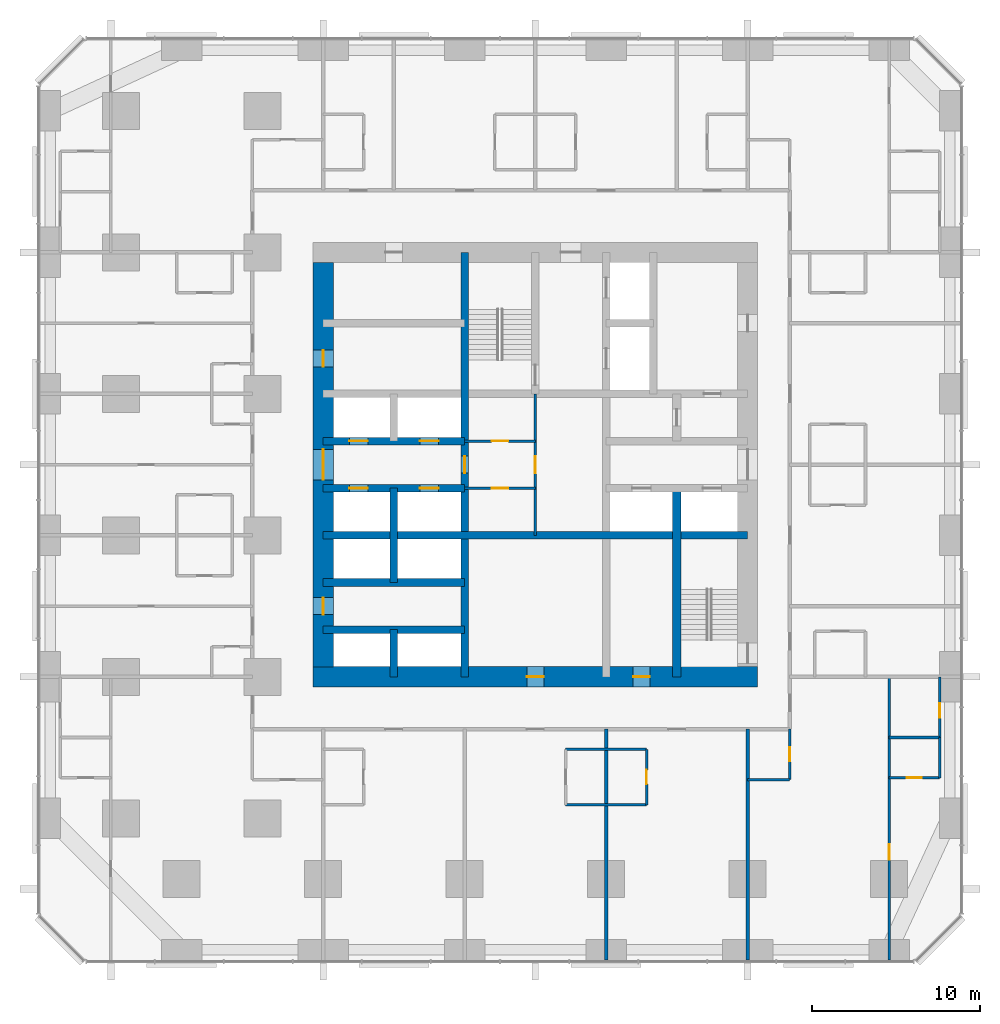
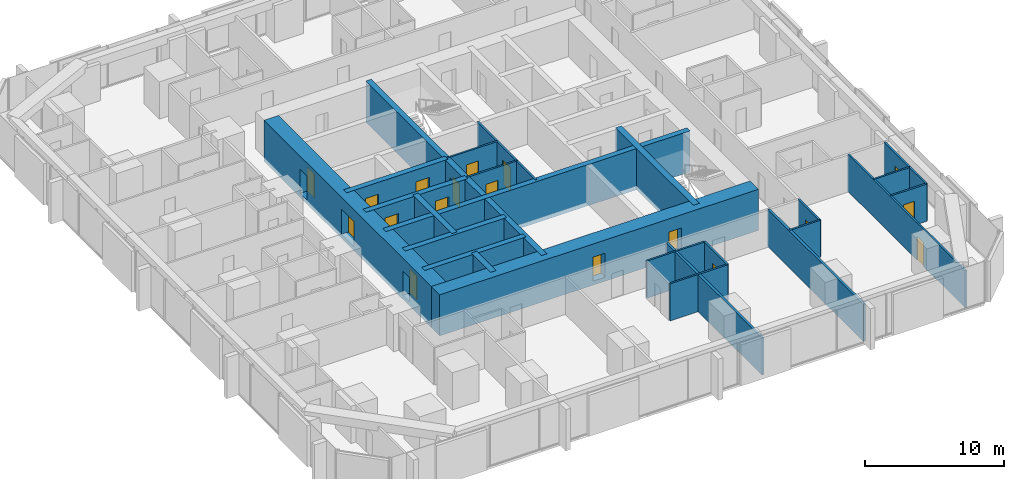
# One storey, part 9 of 13: 26 walls, 18 doors, 18 openings.
"""IFC4 building model written with IfcOpenShell, lengths in metres."""

from ifc_helpers import new_model, si_unit, direction, frame, frame_2d, origin, place, context, subcontext, project, spatial, rectangle, extrude, material, layer, layer_set, type_object, element, fill, save


model = new_model("IFC4")

# Units and contexts
model_context = context("Model", 3, precision=1e-05, world=origin(), true_north=direction((0.0, 1.0)))
body_context = subcontext(model_context, "Body", "Model", "MODEL_VIEW")
ifc_project = project(units=[si_unit("LENGTHUNIT", "METRE"), si_unit("AREAUNIT", "SQUARE_METRE"), si_unit("VOLUMEUNIT", "CUBIC_METRE"), si_unit("PLANEANGLEUNIT", "RADIAN"), si_unit("MASSUNIT", "GRAM", prefix="KILO")], contexts=[model_context])

# Site, building, storey
site_placement = place(None, origin())
site = spatial("IfcSite", under=ifc_project, at=site_placement, CompositionType="ELEMENT")
building_placement = place(site_placement, origin())
building = spatial("IfcBuilding", under=site, at=building_placement, Name="Dunama Terrace Hotel", CompositionType="ELEMENT")
storey_placement = place(building_placement, frame((0.0, 0.0, 97.199951171875)))
storey = spatial("IfcBuildingStorey", under=building, at=storey_placement, Name="L24", CompositionType="ELEMENT", Elevation=97.199951171875)

# Wall, opening, door
ifc_material_1 = material(Name="Gypsum board partition", Category="masonry")
ifc_layer_1 = layer(ifc_material_1, 0.14990234375)
ifc_layer_set_1 = layer_set([ifc_layer_1], Name="Bathroom partition 150")
wall_type_1 = type_object("IfcWallType", Name="Bathroom partition 150", PredefinedType="PARTITIONING", material=ifc_layer_set_1)
wall_1_placement = place(storey_placement, frame((36.0, 9.199951171875, 0.0), z_axis=(0.0, 0.0, 1.0), x_axis=(0.0, 1.0, 0.0)))
wall_1 = element("IfcWall", 1, at=wall_1_placement, inside=storey, type_object=wall_type_1, Name="Bathroom partition 150 L24", PredefinedType="PARTITIONING", context=body_context, shape_type="SweptSolid", body=[
    extrude(rectangle(XDim=3.300048828125, YDim=0.14990234375, at=frame_2d((1.64990234375, 0.0))), origin(), (0.0, 0.0, 1.0), 3.25),
])
opening_1_placement = place(wall_1_placement, frame((1.22509765625, 0.0, 0.0)))
opening_1 = element("IfcOpeningElement", 2, at=opening_1_placement, cuts=wall_1, Name="Opening L24-016", PredefinedType="OPENING", context=body_context, shape_type="SweptSolid", body=[
    extrude(rectangle(XDim=0.85009765625, YDim=2.10009765625, at=frame_2d((0.425048828125, 1.050048828125))), frame((0.0, 0.0849609375, 0.0), z_axis=(0.0, -1.0, 0.0), x_axis=(1.0, 0.0, 0.0)), (0.0, 0.0, 1.0), 0.169921875),
])
ifc_material_2 = material(Name="Timber door with steel frame", Category="steel")
door_type_1 = type_object("IfcDoorType", Name="Bathroom door 850", OperationType="SINGLE_SWING_LEFT", PredefinedType="DOOR", material=ifc_material_2)
door_1_placement = place(opening_1_placement, origin())
door_1 = element("IfcDoor", 3, at=door_1_placement, inside=storey, type_object=door_type_1, Name="Door to en-suite bathroom L24-016, type D2", OperationType="SINGLE_SWING_LEFT", OverallHeight=2.10009765625, OverallWidth=0.85009765625, PredefinedType="DOOR", context=body_context, shape_type="SweptSolid", body=[
    extrude(rectangle(XDim=0.85009765625, YDim=2.10009765625, at=frame_2d((0.425048828125, 1.050048828125))), frame((0.0, 0.02490234375, 0.0), z_axis=(0.0, -1.0, 0.0), x_axis=(1.0, 0.0, 0.0)), (0.0, 0.0, 1.0), 0.050048828125),
])
fill(opening_1, door_1)

wall_2_placement = place(storey_placement, frame((44.5, 10.699951171875, 0.0), z_axis=(0.0, 0.0, 1.0), x_axis=(0.0, 1.0, 0.0)))
wall_2 = element("IfcWall", 4, at=wall_2_placement, inside=storey, type_object=wall_type_1, Name="Bathroom partition 150 L24", PredefinedType="PARTITIONING", context=body_context, shape_type="SweptSolid", body=[
    extrude(rectangle(XDim=3.0, YDim=0.14990234375, at=frame_2d((1.5, 0.0))), origin(), (0.0, 0.0, 1.0), 3.25),
])
opening_2_placement = place(wall_2_placement, frame((1.074951171875, 0.0, 0.0)))
opening_2 = element("IfcOpeningElement", 5, at=opening_2_placement, cuts=wall_2, Name="Opening L24-051", PredefinedType="OPENING", context=body_context, shape_type="SweptSolid", body=[
    extrude(rectangle(XDim=0.85009765625, YDim=2.10009765625, at=frame_2d((0.425048828125, 1.050048828125))), frame((0.0, 0.0849609375, 0.0), z_axis=(0.0, -1.0, 0.0), x_axis=(1.0, 0.0, 0.0)), (0.0, 0.0, 1.0), 0.169921875),
])
door_2_placement = place(opening_2_placement, origin())
door_2 = element("IfcDoor", 6, at=door_2_placement, inside=storey, type_object=door_type_1, Name="Door to powder room L24-051, type D2", OperationType="SINGLE_SWING_RIGHT", OverallHeight=2.10009765625, OverallWidth=0.85009765625, PredefinedType="DOOR", context=body_context, shape_type="SweptSolid", body=[
    extrude(rectangle(XDim=0.85009765625, YDim=2.10009765625, at=frame_2d((0.425048828125, 1.050048828125))), frame((0.0, 0.02490234375, 0.0), z_axis=(0.0, -1.0, 0.0), x_axis=(1.0, 0.0, 0.0)), (0.0, 0.0, 1.0), 0.050048828125),
])
fill(opening_2, door_2)

wall_3_placement = place(storey_placement, frame((53.39990234375, 13.199951171875, 0.0), z_axis=(0.0, 0.0, 1.0), x_axis=(0.0, 1.0, 0.0)))
wall_3 = element("IfcWall", 7, at=wall_3_placement, inside=storey, type_object=wall_type_1, Name="Bathroom partition 150 L24", PredefinedType="PARTITIONING", context=body_context, shape_type="SweptSolid", body=[
    extrude(rectangle(XDim=3.60009765625, YDim=0.14990234375, at=frame_2d((1.800048828125, 0.0))), origin(), (0.0, 0.0, 1.0), 3.25),
])
opening_3_placement = place(wall_3_placement, frame((1.175048828125, 0.0, 0.0)))
opening_3 = element("IfcOpeningElement", 8, at=opening_3_placement, cuts=wall_3, Name="Opening L24-053", PredefinedType="OPENING", context=body_context, shape_type="SweptSolid", body=[
    extrude(rectangle(XDim=0.85009765625, YDim=2.10009765625, at=frame_2d((0.425048828125, 1.050048828125))), frame((0.0, 0.0849609375, 0.0), z_axis=(0.0, -1.0, 0.0), x_axis=(1.0, 0.0, 0.0)), (0.0, 0.0, 1.0), 0.169921875),
])
door_3_placement = place(opening_3_placement, origin())
door_3 = element("IfcDoor", 9, at=door_3_placement, inside=storey, type_object=door_type_1, Name="Door to en-suite bathroom L24-053, type D2", OperationType="SINGLE_SWING_RIGHT", OverallHeight=2.10009765625, OverallWidth=0.85009765625, PredefinedType="DOOR", context=body_context, shape_type="SweptSolid", body=[
    extrude(rectangle(XDim=0.85009765625, YDim=2.10009765625, at=frame_2d((0.425048828125, 1.050048828125))), frame((0.0, 0.02490234375, 0.0), z_axis=(0.0, -1.0, 0.0), x_axis=(1.0, 0.0, 0.0)), (0.0, 0.0, 1.0), 0.050048828125),
])
fill(opening_3, door_3)

# Walls
wall_4_placement = place(storey_placement, frame((31.199951171875, 9.199951171875, 0.0), z_axis=(0.0, 0.0, 1.0), x_axis=(1.0, 0.0, 0.0)))
element("IfcWall", 10, at=wall_4_placement, inside=storey, type_object=wall_type_1, Name="Bathroom partition 150 L24", PredefinedType="PARTITIONING", context=body_context, shape_type="SweptSolid", body=[
    extrude(rectangle(XDim=4.800048828125, YDim=0.14990234375, at=frame_2d((2.39990234375, 0.0))), origin(), (0.0, 0.0, 1.0), 3.25),
])
wall_5_placement = place(storey_placement, frame((42.0, 10.699951171875, 0.0), z_axis=(0.0, 0.0, 1.0), x_axis=(1.0, 0.0, 0.0)))
element("IfcWall", 11, at=wall_5_placement, inside=storey, type_object=wall_type_1, Name="Bathroom partition 150 L24", PredefinedType="PARTITIONING", context=body_context, shape_type="SweptSolid", body=[
    extrude(rectangle(XDim=2.5, YDim=0.14990234375, at=frame_2d((1.25, 0.0))), origin(), (0.0, 0.0, 1.0), 3.25),
])
wall_6_placement = place(storey_placement, frame((31.199951171875, 12.5, 0.0), z_axis=(0.0, 0.0, 1.0), x_axis=(1.0, 0.0, 0.0)))
element("IfcWall", 12, at=wall_6_placement, inside=storey, type_object=wall_type_1, Name="Bathroom partition 150 L24", PredefinedType="PARTITIONING", context=body_context, shape_type="SweptSolid", body=[
    extrude(rectangle(XDim=4.800048828125, YDim=0.14990234375, at=frame_2d((2.39990234375, 0.0))), origin(), (0.0, 0.0, 1.0), 3.25),
])
ifc_material_3 = material(Name="Concrete C50/60", Category="concrete")
ifc_layer_2 = layer(ifc_material_3, 0.449951171875)
ifc_layer_set_2 = layer_set([ifc_layer_2], Name="Core inner wall 450")
wall_type_2 = type_object("IfcWallType", Name="Core inner wall 450", PredefinedType="SHEAR", material=ifc_layer_set_2)
wall_7_placement = place(storey_placement, frame((21.0, 16.800048828125, -0.349853515625), z_axis=(0.0, 0.0, 1.0), x_axis=(0.0, 1.0, 0.0)))
element("IfcWall", 13, at=wall_7_placement, inside=storey, type_object=wall_type_2, Name="Core inner wall 450 L24", PredefinedType="SHEAR", context=body_context, shape_type="SweptSolid", body=[
    extrude(rectangle(XDim=2.800048828125, YDim=0.449951171875, at=frame_2d((1.39990234375, 0.0))), origin(), (0.0, 0.0, 1.0), 3.599853515625),
])
wall_8_placement = place(storey_placement, frame((21.0, 22.39990234375, -0.349853515625), z_axis=(0.0, 0.0, 1.0), x_axis=(0.0, 1.0, 0.0)))
element("IfcWall", 14, at=wall_8_placement, inside=storey, type_object=wall_type_2, Name="Core inner wall 450 L24", PredefinedType="SHEAR", context=body_context, shape_type="SweptSolid", body=[
    extrude(rectangle(XDim=5.60009765625, YDim=0.449951171875, at=frame_2d((2.800048828125, 0.0))), origin(), (0.0, 0.0, 1.0), 3.599853515625),
])

# Wall, opening, door
wall_9_placement = place(storey_placement, frame((25.199951171875, 16.800048828125, -0.349853515625), z_axis=(0.0, 0.0, 1.0), x_axis=(0.0, 1.0, 0.0)))
wall_9 = element("IfcWall", 15, at=wall_9_placement, inside=storey, type_object=wall_type_2, Name="Core inner wall 450 L24", PredefinedType="SHEAR", context=body_context, shape_type="SweptSolid", body=[
    extrude(rectangle(XDim=25.199951171875, YDim=0.449951171875, at=frame_2d((12.60009765625, 0.0))), origin(), (0.0, 0.0, 1.0), 3.599853515625),
])
opening_4_placement = place(wall_9_placement, frame((12.10009765625, 0.0, 0.35009765625)))
opening_4 = element("IfcOpeningElement", 16, at=opening_4_placement, cuts=wall_9, Name="Opening L24-069", PredefinedType="OPENING", context=body_context, shape_type="SweptSolid", body=[
    extrude(rectangle(XDim=1.0, YDim=2.10009765625, at=frame_2d((0.5, 1.050048828125))), frame((0.0, 0.23486328125, 0.0), z_axis=(0.0, -1.0, 0.0), x_axis=(1.0, 0.0, 0.0)), (0.0, 0.0, 1.0), 0.469970703125),
])
ifc_material_4 = material(Name="Timber door with steel frame", Category="steel")
door_type_2 = type_object("IfcDoorType", Name="Service door 1000", OperationType="SINGLE_SWING_LEFT", PredefinedType="DOOR", material=ifc_material_4)
door_4_placement = place(opening_4_placement, origin())
door_4 = element("IfcDoor", 17, at=door_4_placement, inside=storey, type_object=door_type_2, Name="Door to guest services passage L24-069, type D7", OperationType="SINGLE_SWING_LEFT", OverallHeight=2.10009765625, OverallWidth=1.0, PredefinedType="DOOR", context=body_context, shape_type="SweptSolid", body=[
    extrude(rectangle(XDim=1.0, YDim=2.10009765625, at=frame_2d((0.5, 1.050048828125))), frame((0.0, 0.02490234375, 0.0), z_axis=(0.0, -1.0, 0.0), x_axis=(1.0, 0.0, 0.0)), (0.0, 0.0, 1.0), 0.050048828125),
])
fill(opening_4, door_4)

# Walls
for number, where, z_axis, x_axis, name in (
    (18, (16.800048828125, 19.60009765625, -0.349853515625), (0.0, 0.0, 1.0), (1.0, 0.0, 0.0), "Core inner wall 450 L24"),
    (19, (16.800048828125, 22.39990234375, -0.349853515625), (0.0, 0.0, 1.0), (1.0, 0.0, 0.0), "Core inner wall 450 L24"),
):
    element("IfcWall", number, at=place(storey_placement, frame(where, z_axis=z_axis, x_axis=x_axis)), inside=storey, type_object=wall_type_2, Name=name, PredefinedType="SHEAR", context=body_context, shape_type="SweptSolid", body=[
        extrude(rectangle(XDim=8.39990234375, YDim=0.449951171875, at=frame_2d((4.199951171875, 0.0))), origin(), (0.0, 0.0, 1.0), 3.599853515625),
    ])
wall_10_placement = place(storey_placement, frame((16.800048828125, 25.199951171875, -0.349853515625), z_axis=(0.0, 0.0, 1.0), x_axis=(1.0, 0.0, 0.0)))
element("IfcWall", 20, at=wall_10_placement, inside=storey, type_object=wall_type_2, Name="Core inner wall 450 L24", PredefinedType="SHEAR", context=body_context, shape_type="SweptSolid", body=[
    extrude(rectangle(XDim=25.199951171875, YDim=0.449951171875, at=frame_2d((12.60009765625, 0.0))), origin(), (0.0, 0.0, 1.0), 3.599853515625),
])

# Wall, openings, doors
wall_11_placement = place(storey_placement, frame((16.800048828125, 28.0, -0.349853515625), z_axis=(0.0, 0.0, 1.0), x_axis=(1.0, 0.0, 0.0)))
wall_11 = element("IfcWall", 21, at=wall_11_placement, inside=storey, type_object=wall_type_2, Name="Core inner wall 450 L24", PredefinedType="SHEAR", context=body_context, shape_type="SweptSolid", body=[
    extrude(rectangle(XDim=8.39990234375, YDim=0.449951171875, at=frame_2d((4.199951171875, 0.0))), origin(), (0.0, 0.0, 1.0), 3.599853515625),
])
opening_5_placement = place(wall_11_placement, frame((1.550048828125, 0.0, 0.35009765625)))
opening_5 = element("IfcOpeningElement", 22, at=opening_5_placement, cuts=wall_11, Name="Opening L24-005", PredefinedType="OPENING", context=body_context, shape_type="SweptSolid", body=[
    extrude(rectangle(XDim=1.10009765625, YDim=2.199951171875, at=frame_2d((0.550048828125, 1.10009765625))), frame((0.0, 0.23486328125, 0.0), z_axis=(0.0, -1.0, 0.0), x_axis=(1.0, 0.0, 0.0)), (0.0, 0.0, 1.0), 0.469970703125),
])
opening_6_placement = place(wall_11_placement, frame((5.75, 0.0, 0.35009765625)))
opening_6 = element("IfcOpeningElement", 23, at=opening_6_placement, cuts=wall_11, Name="Opening L24-006", PredefinedType="OPENING", context=body_context, shape_type="SweptSolid", body=[
    extrude(rectangle(XDim=1.10009765625, YDim=2.199951171875, at=frame_2d((0.550048828125, 1.10009765625))), frame((0.0, 0.23486328125, 0.0), z_axis=(0.0, -1.0, 0.0), x_axis=(1.0, 0.0, 0.0)), (0.0, 0.0, 1.0), 0.469970703125),
])
ifc_material_5 = material(Name="Stainless steel lift door", Category="steel")
door_type_3 = type_object("IfcDoorType", Name="Lift landing door 1100", OperationType="DOUBLE_DOOR_SLIDING", PredefinedType="DOOR", material=ifc_material_5)
door_5_placement = place(opening_5_placement, origin())
door_5 = element("IfcDoor", 24, at=door_5_placement, inside=storey, type_object=door_type_3, Name="Landing door PC1 L24-005, type LD1", OperationType="DOUBLE_DOOR_SLIDING", OverallHeight=2.199951171875, OverallWidth=1.10009765625, PredefinedType="DOOR", context=body_context, shape_type="SweptSolid", body=[
    extrude(rectangle(XDim=1.10009765625, YDim=2.199951171875, at=frame_2d((0.550048828125, 1.10009765625))), frame((0.0, 0.02490234375, 0.0), z_axis=(0.0, -1.0, 0.0), x_axis=(1.0, 0.0, 0.0)), (0.0, 0.0, 1.0), 0.050048828125),
])
fill(opening_5, door_5)
door_6_placement = place(opening_6_placement, origin())
door_6 = element("IfcDoor", 25, at=door_6_placement, inside=storey, type_object=door_type_3, Name="Landing door PC2 L24-006, type LD1", OperationType="DOUBLE_DOOR_SLIDING", OverallHeight=2.199951171875, OverallWidth=1.10009765625, PredefinedType="DOOR", context=body_context, shape_type="SweptSolid", body=[
    extrude(rectangle(XDim=1.10009765625, YDim=2.199951171875, at=frame_2d((0.550048828125, 1.10009765625))), frame((0.0, 0.02490234375, 0.0), z_axis=(0.0, -1.0, 0.0), x_axis=(1.0, 0.0, 0.0)), (0.0, 0.0, 1.0), 0.050048828125),
])
fill(opening_6, door_6)

wall_12_placement = place(storey_placement, frame((16.800048828125, 30.800048828125, -0.349853515625), z_axis=(0.0, 0.0, 1.0), x_axis=(1.0, 0.0, 0.0)))
wall_12 = element("IfcWall", 26, at=wall_12_placement, inside=storey, type_object=wall_type_2, Name="Core inner wall 450 L24", PredefinedType="SHEAR", context=body_context, shape_type="SweptSolid", body=[
    extrude(rectangle(XDim=8.39990234375, YDim=0.449951171875, at=frame_2d((4.199951171875, 0.0))), origin(), (0.0, 0.0, 1.0), 3.599853515625),
])
opening_7_placement = place(wall_12_placement, frame((1.550048828125, 0.0, 0.35009765625)))
opening_7 = element("IfcOpeningElement", 27, at=opening_7_placement, cuts=wall_12, Name="Opening L24-007", PredefinedType="OPENING", context=body_context, shape_type="SweptSolid", body=[
    extrude(rectangle(XDim=1.10009765625, YDim=2.199951171875, at=frame_2d((0.550048828125, 1.10009765625))), frame((0.0, 0.23486328125, 0.0), z_axis=(0.0, -1.0, 0.0), x_axis=(1.0, 0.0, 0.0)), (0.0, 0.0, 1.0), 0.469970703125),
])
opening_8_placement = place(wall_12_placement, frame((5.75, 0.0, 0.35009765625)))
opening_8 = element("IfcOpeningElement", 28, at=opening_8_placement, cuts=wall_12, Name="Opening L24-008", PredefinedType="OPENING", context=body_context, shape_type="SweptSolid", body=[
    extrude(rectangle(XDim=1.10009765625, YDim=2.199951171875, at=frame_2d((0.550048828125, 1.10009765625))), frame((0.0, 0.23486328125, 0.0), z_axis=(0.0, -1.0, 0.0), x_axis=(1.0, 0.0, 0.0)), (0.0, 0.0, 1.0), 0.469970703125),
])
door_7_placement = place(opening_7_placement, origin())
door_7 = element("IfcDoor", 29, at=door_7_placement, inside=storey, type_object=door_type_3, Name="Landing door PC3 L24-007, type LD1", OperationType="DOUBLE_DOOR_SLIDING", OverallHeight=2.199951171875, OverallWidth=1.10009765625, PredefinedType="DOOR", context=body_context, shape_type="SweptSolid", body=[
    extrude(rectangle(XDim=1.10009765625, YDim=2.199951171875, at=frame_2d((0.550048828125, 1.10009765625))), frame((0.0, 0.02490234375, 0.0), z_axis=(0.0, -1.0, 0.0), x_axis=(1.0, 0.0, 0.0)), (0.0, 0.0, 1.0), 0.050048828125),
])
fill(opening_7, door_7)
door_8_placement = place(opening_8_placement, origin())
door_8 = element("IfcDoor", 30, at=door_8_placement, inside=storey, type_object=door_type_3, Name="Landing door PC4 L24-008, type LD1", OperationType="DOUBLE_DOOR_SLIDING", OverallHeight=2.199951171875, OverallWidth=1.10009765625, PredefinedType="DOOR", context=body_context, shape_type="SweptSolid", body=[
    extrude(rectangle(XDim=1.10009765625, YDim=2.199951171875, at=frame_2d((0.550048828125, 1.10009765625))), frame((0.0, 0.02490234375, 0.0), z_axis=(0.0, -1.0, 0.0), x_axis=(1.0, 0.0, 0.0)), (0.0, 0.0, 1.0), 0.050048828125),
])
fill(opening_8, door_8)

# Wall
ifc_material_6 = material(Name="Concrete C50/60", Category="concrete")
ifc_layer_3 = layer(ifc_material_6, 0.5)
ifc_layer_set_3 = layer_set([ifc_layer_3], Name="Core inner wall 500")
wall_type_3 = type_object("IfcWallType", Name="Core inner wall 500", PredefinedType="SHEAR", material=ifc_layer_set_3)
wall_13_placement = place(storey_placement, frame((37.800048828125, 16.800048828125, -0.349853515625), z_axis=(0.0, 0.0, 1.0), x_axis=(0.0, 1.0, 0.0)))
element("IfcWall", 31, at=wall_13_placement, inside=storey, type_object=wall_type_3, Name="Core inner wall 500 L24", PredefinedType="SHEAR", context=body_context, shape_type="SweptSolid", body=[
    extrude(rectangle(XDim=11.199951171875, YDim=0.5, at=frame_2d((5.60009765625, 0.0))), origin(), (0.0, 0.0, 1.0), 3.599853515625),
])

# Wall, openings, doors
ifc_material_7 = material(Name="Concrete C60/75", Category="concrete")
ifc_layer_4 = layer(ifc_material_7, 1.199951171875)
ifc_layer_set_4 = layer_set([ifc_layer_4], Name="Core wall 1200")
wall_type_4 = type_object("IfcWallType", Name="Core wall 1200", PredefinedType="SHEAR", material=ifc_layer_set_4)
wall_14_placement = place(storey_placement, frame((16.199951171875, 16.800048828125, -0.349853515625), z_axis=(0.0, 0.0, 1.0), x_axis=(1.0, 0.0, 0.0)))
wall_14 = element("IfcWall", 32, at=wall_14_placement, inside=storey, type_object=wall_type_4, Name="Core wall south L24", PredefinedType="SHEAR", context=body_context, shape_type="SweptSolid", body=[
    extrude(rectangle(XDim=26.400146484375, YDim=1.199951171875, at=frame_2d((13.2001953125, 0.0))), origin(), (0.0, 0.0, 1.0), 3.599853515625),
])
opening_9_placement = place(wall_14_placement, frame((12.699951171875, 0.0, 0.35009765625)))
opening_9 = element("IfcOpeningElement", 33, at=opening_9_placement, cuts=wall_14, Name="Opening L24-078", PredefinedType="OPENING", context=body_context, shape_type="SweptSolid", body=[
    extrude(rectangle(XDim=1.0, YDim=2.10009765625, at=frame_2d((0.5, 1.050048828125))), frame((0.0, 0.60986328125, 0.0), z_axis=(0.0, -1.0, 0.0), x_axis=(1.0, 0.0, 0.0)), (0.0, 0.0, 1.0), 1.219970703125),
])
opening_10_placement = place(wall_14_placement, frame((19.0, 0.0, 0.35009765625)))
opening_10 = element("IfcOpeningElement", 34, at=opening_10_placement, cuts=wall_14, Name="Opening L24-079", PredefinedType="OPENING", context=body_context, shape_type="SweptSolid", body=[
    extrude(rectangle(XDim=1.0, YDim=2.10009765625, at=frame_2d((0.5, 1.050048828125))), frame((0.0, 0.60986328125, 0.0), z_axis=(0.0, -1.0, 0.0), x_axis=(1.0, 0.0, 0.0)), (0.0, 0.0, 1.0), 1.219970703125),
])
door_9_placement = place(opening_9_placement, origin())
door_9 = element("IfcDoor", 35, at=door_9_placement, inside=storey, type_object=door_type_2, Name="Door to corridor air handling room L24-078, type D7", OperationType="SINGLE_SWING_LEFT", OverallHeight=2.10009765625, OverallWidth=1.0, PredefinedType="DOOR", context=body_context, shape_type="SweptSolid", body=[
    extrude(rectangle(XDim=1.0, YDim=2.10009765625, at=frame_2d((0.5, 1.050048828125))), frame((0.0, 0.02490234375, 0.0), z_axis=(0.0, -1.0, 0.0), x_axis=(1.0, 0.0, 0.0)), (0.0, 0.0, 1.0), 0.050048828125),
])
fill(opening_9, door_9)
door_10_placement = place(opening_10_placement, origin())
door_10 = element("IfcDoor", 36, at=door_10_placement, inside=storey, type_object=door_type_2, Name="Door to water riser room L24-079, type D7", OperationType="SINGLE_SWING_RIGHT", OverallHeight=2.10009765625, OverallWidth=1.0, PredefinedType="DOOR", context=body_context, shape_type="SweptSolid", body=[
    extrude(rectangle(XDim=1.0, YDim=2.10009765625, at=frame_2d((0.5, 1.050048828125))), frame((0.0, 0.02490234375, 0.0), z_axis=(0.0, -1.0, 0.0), x_axis=(1.0, 0.0, 0.0)), (0.0, 0.0, 1.0), 0.050048828125),
])
fill(opening_10, door_10)

wall_15_placement = place(storey_placement, frame((16.800048828125, 41.39990234375, -0.349853515625), z_axis=(0.0, 0.0, 1.0), x_axis=(0.0, -1.0, 0.0)))
wall_15 = element("IfcWall", 37, at=wall_15_placement, inside=storey, type_object=wall_type_4, Name="Core wall west L24", PredefinedType="SHEAR", context=body_context, shape_type="SweptSolid", body=[
    extrude(rectangle(XDim=24.0, YDim=1.199951171875, at=frame_2d((12.0, 0.0))), origin(), (0.0, 0.0, 1.0), 3.599853515625),
])
opening_11_placement = place(wall_15_placement, frame((11.10009765625, 0.0, 0.35009765625)))
opening_11 = element("IfcOpeningElement", 38, at=opening_11_placement, cuts=wall_15, Name="Opening L24-065", PredefinedType="OPENING", context=body_context, shape_type="SweptSolid", body=[
    extrude(rectangle(XDim=1.800048828125, YDim=2.199951171875, at=frame_2d((0.89990234375, 1.10009765625))), frame((0.0, 0.60986328125, 0.0), z_axis=(0.0, -1.0, 0.0), x_axis=(1.0, 0.0, 0.0)), (0.0, 0.0, 1.0), 1.219970703125),
])
opening_12_placement = place(wall_15_placement, frame((19.89990234375, 0.0, 0.35009765625)))
opening_12 = element("IfcOpeningElement", 39, at=opening_12_placement, cuts=wall_15, Name="Opening L24-066", PredefinedType="OPENING", context=body_context, shape_type="SweptSolid", body=[
    extrude(rectangle(XDim=1.0, YDim=2.10009765625, at=frame_2d((0.5, 1.050048828125))), frame((0.0, 0.60986328125, 0.0), z_axis=(0.0, -1.0, 0.0), x_axis=(1.0, 0.0, 0.0)), (0.0, 0.0, 1.0), 1.219970703125),
])
opening_13_placement = place(wall_15_placement, frame((5.199951171875, 0.0, 0.35009765625)))
opening_13 = element("IfcOpeningElement", 40, at=opening_13_placement, cuts=wall_15, Name="Opening L24-067", PredefinedType="OPENING", context=body_context, shape_type="SweptSolid", body=[
    extrude(rectangle(XDim=1.0, YDim=2.10009765625, at=frame_2d((0.5, 1.050048828125))), frame((0.0, 0.60986328125, 0.0), z_axis=(0.0, -1.0, 0.0), x_axis=(1.0, 0.0, 0.0)), (0.0, 0.0, 1.0), 1.219970703125),
])
ifc_material_8 = material(Name="Timber door with steel frame", Category="steel")
door_type_4 = type_object("IfcDoorType", Name="Lift lobby double door 1800", OperationType="DOUBLE_DOOR_DOUBLE_SWING", PredefinedType="DOOR", material=ifc_material_8)
door_11_placement = place(opening_11_placement, origin())
door_11 = element("IfcDoor", 41, at=door_11_placement, inside=storey, type_object=door_type_4, Name="Door to lift lobby L24-065, type D3", OperationType="DOUBLE_DOOR_DOUBLE_SWING", OverallHeight=2.199951171875, OverallWidth=1.800048828125, PredefinedType="DOOR", context=body_context, shape_type="SweptSolid", body=[
    extrude(rectangle(XDim=1.800048828125, YDim=2.199951171875, at=frame_2d((0.89990234375, 1.10009765625))), frame((0.0, 0.02490234375, 0.0), z_axis=(0.0, -1.0, 0.0), x_axis=(1.0, 0.0, 0.0)), (0.0, 0.0, 1.0), 0.050048828125),
])
fill(opening_11, door_11)
door_12_placement = place(opening_12_placement, origin())
door_12 = element("IfcDoor", 42, at=door_12_placement, inside=storey, type_object=door_type_2, Name="Door to service lobby L24-066, type D7", OperationType="SINGLE_SWING_LEFT", OverallHeight=2.10009765625, OverallWidth=1.0, PredefinedType="DOOR", context=body_context, shape_type="SweptSolid", body=[
    extrude(rectangle(XDim=1.0, YDim=2.10009765625, at=frame_2d((0.5, 1.050048828125))), frame((0.0, 0.02490234375, 0.0), z_axis=(0.0, -1.0, 0.0), x_axis=(1.0, 0.0, 0.0)), (0.0, 0.0, 1.0), 0.050048828125),
])
fill(opening_12, door_12)
door_13_placement = place(opening_13_placement, origin())
door_13 = element("IfcDoor", 43, at=door_13_placement, inside=storey, type_object=door_type_2, Name="Door to electrical room L24-067, type D7", OperationType="SINGLE_SWING_RIGHT", OverallHeight=2.10009765625, OverallWidth=1.0, PredefinedType="DOOR", context=body_context, shape_type="SweptSolid", body=[
    extrude(rectangle(XDim=1.0, YDim=2.10009765625, at=frame_2d((0.5, 1.050048828125))), frame((0.0, 0.02490234375, 0.0), z_axis=(0.0, -1.0, 0.0), x_axis=(1.0, 0.0, 0.0)), (0.0, 0.0, 1.0), 0.050048828125),
])
fill(opening_13, door_13)

# Walls
ifc_material_9 = material(Name="Concrete blockwork", Category="masonry")
ifc_layer_5 = layer(ifc_material_9, 0.199951171875)
ifc_layer_set_5 = layer_set([ifc_layer_5], Name="Party wall 200")
wall_type_5 = type_object("IfcWallType", Name="Party wall 200", PredefinedType="PARTITIONING", material=ifc_layer_set_5)
for number, where, z_axis, x_axis, name in (
    (44, (33.60009765625, -0.01806640625, 0.0), (0.0, 0.0, 1.0), (0.0, 1.0, 0.0), "Party wall 200 L24"),
    (45, (42.0, -0.01806640625, 0.0), (0.0, 0.0, 1.0), (0.0, 1.0, 0.0), "Party wall 200 L24"),
):
    element("IfcWall", number, at=place(storey_placement, frame(where, z_axis=z_axis, x_axis=x_axis)), inside=storey, type_object=wall_type_5, Name=name, PredefinedType="PARTITIONING", context=body_context, shape_type="SweptSolid", body=[
        extrude(rectangle(XDim=13.718017578125, YDim=0.199951171875, at=frame_2d((6.85888671875, 0.0))), origin(), (0.0, 0.0, 1.0), 3.25),
    ])

# Wall, opening, door
ifc_material_10 = material(Name="Gypsum board partition", Category="masonry")
ifc_layer_6 = layer(ifc_material_10, 0.14990234375)
ifc_layer_set_6 = layer_set([ifc_layer_6], Name="Room partition 150")
wall_type_6 = type_object("IfcWallType", Name="Room partition 150", PredefinedType="PARTITIONING", material=ifc_layer_set_6)
wall_16_placement = place(storey_placement, frame((29.39990234375, 25.199951171875, 0.0), z_axis=(0.0, 0.0, 1.0), x_axis=(0.0, 1.0, 0.0)))
wall_16 = element("IfcWall", 46, at=wall_16_placement, inside=storey, type_object=wall_type_6, Name="Room partition 150 L24", PredefinedType="PARTITIONING", context=body_context, shape_type="SweptSolid", body=[
    extrude(rectangle(XDim=8.400146484375, YDim=0.14990234375, at=frame_2d((4.2001953125, 0.0))), origin(), (0.0, 0.0, 1.0), 3.25),
])
opening_14_placement = place(wall_16_placement, frame((3.699951171875, 0.0, 0.0)))
opening_14 = element("IfcOpeningElement", 47, at=opening_14_placement, cuts=wall_16, Name="Opening L24-072", PredefinedType="OPENING", context=body_context, shape_type="SweptSolid", body=[
    extrude(rectangle(XDim=1.0, YDim=2.10009765625, at=frame_2d((0.5, 1.050048828125))), frame((0.0, 0.0849609375, 0.0), z_axis=(0.0, -1.0, 0.0), x_axis=(1.0, 0.0, 0.0)), (0.0, 0.0, 1.0), 0.169921875),
])
door_14_placement = place(opening_14_placement, frame((1.0, 0.0, 0.0), z_axis=(0.0, 0.0, 1.0), x_axis=(-1.0, 0.0, 0.0)))
door_14 = element("IfcDoor", 48, at=door_14_placement, inside=storey, type_object=door_type_2, Name="Door to guest laundry room L24-072, type D7", OperationType="SINGLE_SWING_RIGHT", OverallHeight=2.10009765625, OverallWidth=1.0, PredefinedType="DOOR", context=body_context, shape_type="SweptSolid", body=[
    extrude(rectangle(XDim=1.0, YDim=2.10009765625, at=frame_2d((0.5, 1.050048828125))), frame((0.0, 0.025146484375, 0.0), z_axis=(0.0, -1.0, 0.0), x_axis=(1.0, 0.0, 0.0)), (0.0, 0.0, 1.0), 0.050048828125),
])
fill(opening_14, door_14)

wall_17_placement = place(storey_placement, frame((50.39990234375, -0.01806640625, 0.0), z_axis=(0.0, 0.0, 1.0), x_axis=(0.0, 1.0, 0.0)))
wall_17 = element("IfcWall", 49, at=wall_17_placement, inside=storey, type_object=wall_type_6, Name="Room partition 150 L24", PredefinedType="PARTITIONING", context=body_context, shape_type="SweptSolid", body=[
    extrude(rectangle(XDim=16.818115234375, YDim=0.14990234375, at=frame_2d((8.4091796875, 0.0))), origin(), (0.0, 0.0, 1.0), 3.25),
])
opening_15_placement = place(wall_17_placement, frame((5.968017578125, 0.0, 0.0)))
opening_15 = element("IfcOpeningElement", 50, at=opening_15_placement, cuts=wall_17, Name="Opening L24-052", PredefinedType="OPENING", context=body_context, shape_type="SweptSolid", body=[
    extrude(rectangle(XDim=0.89990234375, YDim=2.10009765625, at=frame_2d((0.449951171875, 1.050048828125))), frame((0.0, 0.0849609375, 0.0), z_axis=(0.0, -1.0, 0.0), x_axis=(1.0, 0.0, 0.0)), (0.0, 0.0, 1.0), 0.169921875),
])
ifc_material_11 = material(Name="Timber door with steel frame", Category="steel")
door_type_5 = type_object("IfcDoorType", Name="Suite internal door 900", OperationType="SINGLE_SWING_LEFT", PredefinedType="DOOR", material=ifc_material_11)
door_15_placement = place(opening_15_placement, frame((0.89990234375, 0.0, 0.0), z_axis=(0.0, 0.0, 1.0), x_axis=(-1.0, 0.0, 0.0)))
door_15 = element("IfcDoor", 51, at=door_15_placement, inside=storey, type_object=door_type_5, Name="Door to corner suite bedroom L24-052, type D16", OperationType="SINGLE_SWING_RIGHT", OverallHeight=2.10009765625, OverallWidth=0.89990234375, PredefinedType="DOOR", context=body_context, shape_type="SweptSolid", body=[
    extrude(rectangle(XDim=0.89990234375, YDim=2.10009765625, at=frame_2d((0.449951171875, 1.050048828125))), frame((0.0, 0.025146484375, 0.0), z_axis=(0.0, -1.0, 0.0), x_axis=(1.0, 0.0, 0.0)), (0.0, 0.0, 1.0), 0.050048828125),
])
fill(opening_15, door_15)

# Wall
wall_18_placement = place(storey_placement, frame((53.39990234375, 10.800048828125, 0.0), z_axis=(0.0, 0.0, 1.0), x_axis=(0.0, 1.0, 0.0)))
element("IfcWall", 52, at=wall_18_placement, inside=storey, type_object=wall_type_6, Name="Room partition 150 L24", PredefinedType="PARTITIONING", context=body_context, shape_type="SweptSolid", body=[
    extrude(rectangle(XDim=2.39990234375, YDim=0.14990234375, at=frame_2d((1.199951171875, 0.0))), origin(), (0.0, 0.0, 1.0), 3.25),
])

# Wall, opening, door
wall_19_placement = place(storey_placement, frame((50.39990234375, 10.800048828125, 0.0), z_axis=(0.0, 0.0, 1.0), x_axis=(1.0, 0.0, 0.0)))
wall_19 = element("IfcWall", 53, at=wall_19_placement, inside=storey, type_object=wall_type_6, Name="Room partition 150 L24", PredefinedType="PARTITIONING", context=body_context, shape_type="SweptSolid", body=[
    extrude(rectangle(XDim=3.0, YDim=0.14990234375, at=frame_2d((1.5, 0.0))), origin(), (0.0, 0.0, 1.0), 3.25),
])
opening_16_placement = place(wall_19_placement, frame((1.050048828125, 0.0, 0.0)))
opening_16 = element("IfcOpeningElement", 54, at=opening_16_placement, cuts=wall_19, Name="Opening L24-054", PredefinedType="OPENING", context=body_context, shape_type="SweptSolid", body=[
    extrude(rectangle(XDim=0.89990234375, YDim=2.10009765625, at=frame_2d((0.449951171875, 1.050048828125))), frame((0.0, 0.0849609375, 0.0), z_axis=(0.0, -1.0, 0.0), x_axis=(1.0, 0.0, 0.0)), (0.0, 0.0, 1.0), 0.169921875),
])
door_16_placement = place(opening_16_placement, origin())
door_16 = element("IfcDoor", 55, at=door_16_placement, inside=storey, type_object=door_type_5, Name="Door to dressing room L24-054, type D16", OperationType="SINGLE_SWING_LEFT", OverallHeight=2.10009765625, OverallWidth=0.89990234375, PredefinedType="DOOR", context=body_context, shape_type="SweptSolid", body=[
    extrude(rectangle(XDim=0.89990234375, YDim=2.10009765625, at=frame_2d((0.449951171875, 1.050048828125))), frame((0.0, 0.02490234375, 0.0), z_axis=(0.0, -1.0, 0.0), x_axis=(1.0, 0.0, 0.0)), (0.0, 0.0, 1.0), 0.050048828125),
])
fill(opening_16, door_16)

# Wall
wall_20_placement = place(storey_placement, frame((50.39990234375, 13.199951171875, 0.0), z_axis=(0.0, 0.0, 1.0), x_axis=(1.0, 0.0, 0.0)))
element("IfcWall", 56, at=wall_20_placement, inside=storey, type_object=wall_type_6, Name="Room partition 150 L24", PredefinedType="PARTITIONING", context=body_context, shape_type="SweptSolid", body=[
    extrude(rectangle(XDim=3.0, YDim=0.14990234375, at=frame_2d((1.5, 0.0))), origin(), (0.0, 0.0, 1.0), 3.25),
])

# Wall, opening, door
wall_21_placement = place(storey_placement, frame((25.199951171875, 28.0, 0.0), z_axis=(0.0, 0.0, 1.0), x_axis=(1.0, 0.0, 0.0)))
wall_21 = element("IfcWall", 57, at=wall_21_placement, inside=storey, type_object=wall_type_6, Name="Room partition 150 L24", PredefinedType="PARTITIONING", context=body_context, shape_type="SweptSolid", body=[
    extrude(rectangle(XDim=4.199951171875, YDim=0.14990234375, at=frame_2d((2.10009765625, 0.0))), origin(), (0.0, 0.0, 1.0), 3.25),
])
opening_17_placement = place(wall_21_placement, frame((1.60009765625, 0.0, 0.0)))
opening_17 = element("IfcOpeningElement", 58, at=opening_17_placement, cuts=wall_21, Name="Opening L24-070", PredefinedType="OPENING", context=body_context, shape_type="SweptSolid", body=[
    extrude(rectangle(XDim=1.0, YDim=2.10009765625, at=frame_2d((0.5, 1.050048828125))), frame((0.0, 0.0849609375, 0.0), z_axis=(0.0, -1.0, 0.0), x_axis=(1.0, 0.0, 0.0)), (0.0, 0.0, 1.0), 0.169921875),
])
door_17_placement = place(opening_17_placement, frame((1.0, 0.0, 0.0), z_axis=(0.0, 0.0, 1.0), x_axis=(-1.0, 0.0, 0.0)))
door_17 = element("IfcDoor", 59, at=door_17_placement, inside=storey, type_object=door_type_2, Name="Door to guest business corner L24-070, type D7", OperationType="SINGLE_SWING_RIGHT", OverallHeight=2.10009765625, OverallWidth=1.0, PredefinedType="DOOR", context=body_context, shape_type="SweptSolid", body=[
    extrude(rectangle(XDim=1.0, YDim=2.10009765625, at=frame_2d((0.5, 1.050048828125))), frame((0.0, 0.025146484375, 0.0), z_axis=(0.0, -1.0, 0.0), x_axis=(1.0, 0.0, 0.0)), (0.0, 0.0, 1.0), 0.050048828125),
])
fill(opening_17, door_17)

wall_22_placement = place(storey_placement, frame((25.199951171875, 30.800048828125, 0.0), z_axis=(0.0, 0.0, 1.0), x_axis=(1.0, 0.0, 0.0)))
wall_22 = element("IfcWall", 60, at=wall_22_placement, inside=storey, type_object=wall_type_6, Name="Room partition 150 L24", PredefinedType="PARTITIONING", context=body_context, shape_type="SweptSolid", body=[
    extrude(rectangle(XDim=4.199951171875, YDim=0.14990234375, at=frame_2d((2.10009765625, 0.0))), origin(), (0.0, 0.0, 1.0), 3.25),
])
opening_18_placement = place(wall_22_placement, frame((1.60009765625, 0.0, 0.0)))
opening_18 = element("IfcOpeningElement", 61, at=opening_18_placement, cuts=wall_22, Name="Opening L24-071", PredefinedType="OPENING", context=body_context, shape_type="SweptSolid", body=[
    extrude(rectangle(XDim=1.0, YDim=2.10009765625, at=frame_2d((0.5, 1.050048828125))), frame((0.0, 0.0849609375, 0.0), z_axis=(0.0, -1.0, 0.0), x_axis=(1.0, 0.0, 0.0)), (0.0, 0.0, 1.0), 0.169921875),
])
door_18_placement = place(opening_18_placement, origin())
door_18 = element("IfcDoor", 62, at=door_18_placement, inside=storey, type_object=door_type_2, Name="Door to guest luggage room L24-071, type D7", OperationType="SINGLE_SWING_LEFT", OverallHeight=2.10009765625, OverallWidth=1.0, PredefinedType="DOOR", context=body_context, shape_type="SweptSolid", body=[
    extrude(rectangle(XDim=1.0, YDim=2.10009765625, at=frame_2d((0.5, 1.050048828125))), frame((0.0, 0.02490234375, 0.0), z_axis=(0.0, -1.0, 0.0), x_axis=(1.0, 0.0, 0.0)), (0.0, 0.0, 1.0), 0.050048828125),
])
fill(opening_18, door_18)

save(model, "model.ifc")
